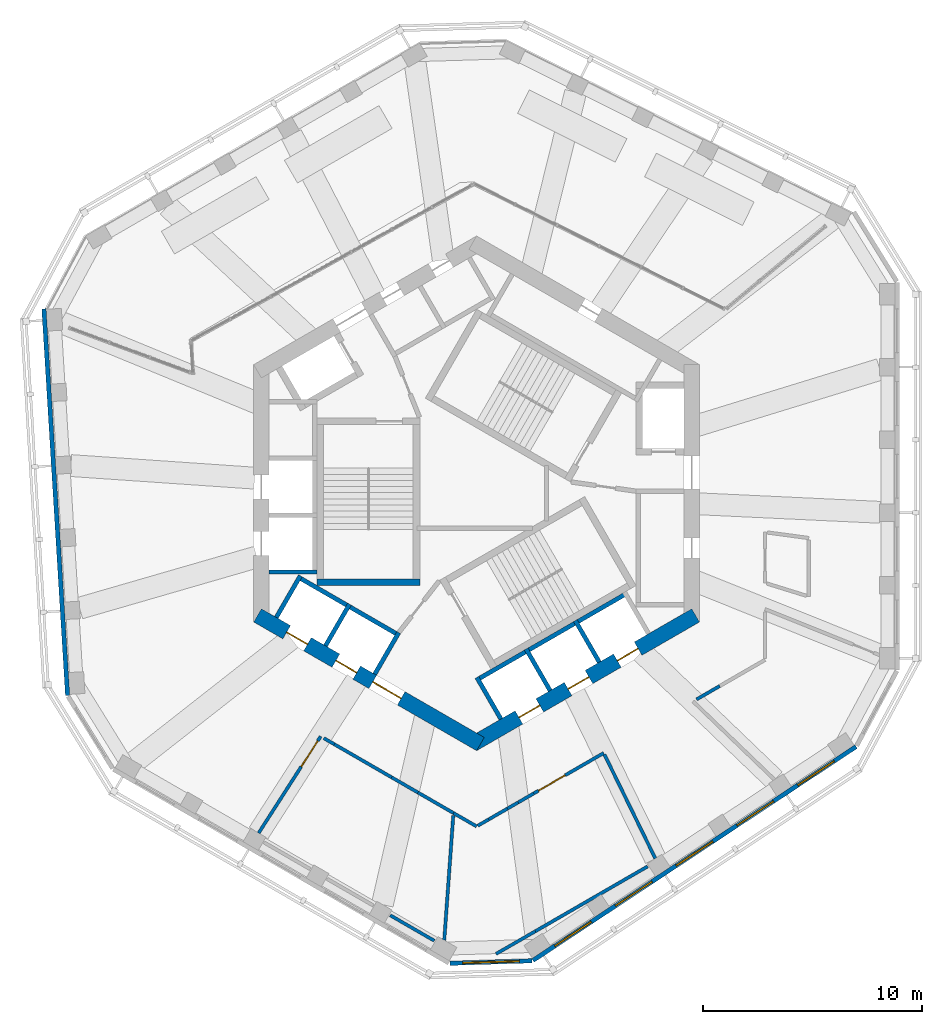
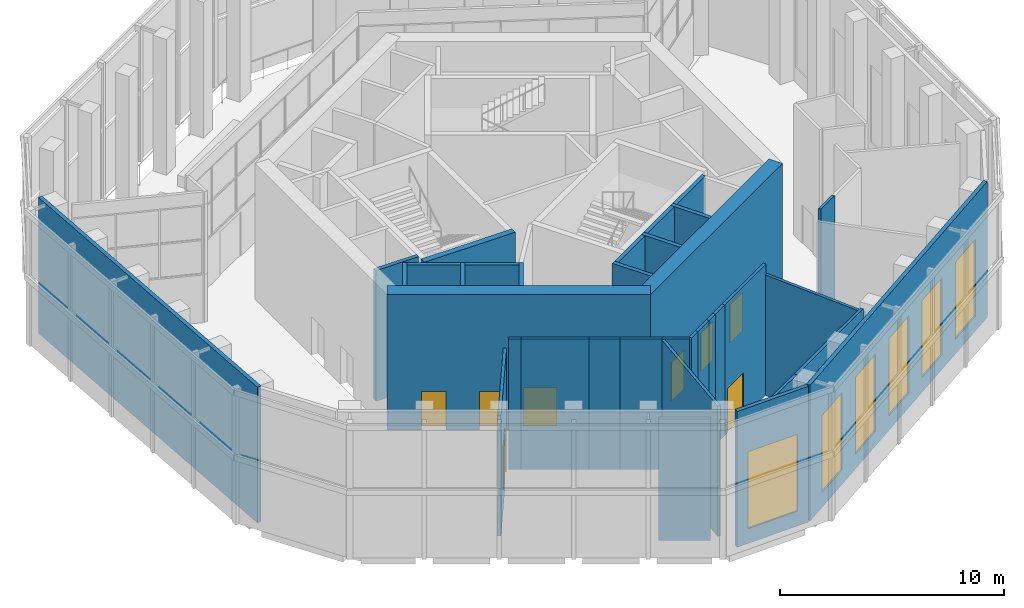
# One storey, part 8 of 16: 32 walls, 8 doors, 6 windows, 14 openings.
"""IFC4 building model written with IfcOpenShell, lengths in metres."""

from ifc_helpers import new_model, si_unit, direction, frame, frame_2d, origin, place, context, subcontext, project, spatial, rectangle, extrude, material, layer, layer_set, type_object, element, fill, save


model = new_model("IFC4")

# Units and contexts
model_context = context("Model", 3, precision=1e-05, world=origin(), true_north=direction((0.0, 1.0)))
body_context = subcontext(model_context, "Body", "Model", "MODEL_VIEW")
ifc_project = project(units=[si_unit("LENGTHUNIT", "METRE"), si_unit("AREAUNIT", "SQUARE_METRE"), si_unit("VOLUMEUNIT", "CUBIC_METRE"), si_unit("PLANEANGLEUNIT", "RADIAN"), si_unit("MASSUNIT", "GRAM", prefix="KILO")], contexts=[model_context])

# Site, building, storey
site_placement = place(None, origin())
site = spatial("IfcSite", under=ifc_project, at=site_placement, CompositionType="ELEMENT")
building_placement = place(site_placement, origin())
building = spatial("IfcBuilding", under=site, at=building_placement, Name="Vanh Sen Convention Tower", CompositionType="ELEMENT")
storey_placement = place(building_placement, frame((0.0, 0.0, 278.300048828125)))
storey = spatial("IfcBuildingStorey", under=building, at=storey_placement, Name="L69", CompositionType="ELEMENT", Elevation=278.300048828125)

# Wall, openings, doors
ifc_material_1 = material(Name="Concrete C60/75", Category="concrete")
ifc_layer_1 = layer(ifc_material_1, 0.699951171875)
ifc_layer_set_1 = layer_set([ifc_layer_1], Name="Concrete C60/75")
wall_type_1 = type_object("IfcWallType", Name="Core outer wall 700 C60/75", PredefinedType="SHEAR", material=ifc_layer_set_1)
wall_1_placement = place(storey_placement, frame((-10.02490234375, -5.5859375, 0.0), z_axis=(0.0, 0.0, 1.0), x_axis=(0.866026453023, -0.499998182661, 0.0)))
wall_1 = element("IfcWall", 1, at=wall_1_placement, inside=storey, type_object=wall_type_1, Name="Core wall face SW L69", PredefinedType="SHEAR", context=body_context, shape_type="SweptSolid", body=[
    extrude(rectangle(XDim=11.77783203125, YDim=0.699951171875, at=frame_2d((5.888916015625, 0.0))), origin(), (0.0, 0.0, 1.0), 7.39990234375),
])
opening_1_placement = place(wall_1_placement, frame((6.089111328125, 0.0, 0.0)))
opening_1 = element("IfcOpeningElement", 2, at=opening_1_placement, cuts=wall_1, Name="Opening D69003", PredefinedType="OPENING", context=body_context, shape_type="SweptSolid", body=[
    extrude(rectangle(XDim=1.5, YDim=2.10009765625, at=frame_2d((0.75, 1.050048828125))), frame((0.0, 0.35986328125, 0.0), z_axis=(0.0, -1.0, 0.0), x_axis=(1.0, 0.0, 0.0)), (0.0, 0.0, 1.0), 0.719970703125),
])
opening_2_placement = place(wall_1_placement, frame((1.5390625, 0.0, 0.0)))
opening_2 = element("IfcOpeningElement", 3, at=opening_2_placement, cuts=wall_1, Name="Opening LD-HR3", PredefinedType="OPENING", context=body_context, shape_type="SweptSolid", body=[
    extrude(rectangle(XDim=1.10009765625, YDim=2.10009765625, at=frame_2d((0.550048828125, 1.050048828125))), frame((0.0, 0.35986328125, 0.0), z_axis=(0.0, -1.0, 0.0), x_axis=(1.0, 0.0, 0.0)), (0.0, 0.0, 1.0), 0.719970703125),
])
opening_3_placement = place(wall_1_placement, frame((4.138916015625, 0.0, 0.0)))
opening_3 = element("IfcOpeningElement", 4, at=opening_3_placement, cuts=wall_1, Name="Opening LD-HR4", PredefinedType="OPENING", context=body_context, shape_type="SweptSolid", body=[
    extrude(rectangle(XDim=1.10009765625, YDim=2.10009765625, at=frame_2d((0.550048828125, 1.050048828125))), frame((0.0, 0.35986328125, 0.0), z_axis=(0.0, -1.0, 0.0), x_axis=(1.0, 0.0, 0.0)), (0.0, 0.0, 1.0), 0.719970703125),
])
ifc_material_2 = material(Name="Stainless steel", Category="steel")
door_type_1 = type_object("IfcDoorType", Name="Lift landing door 1100", OperationType="DOUBLE_DOOR_SLIDING", PredefinedType="DOOR", material=ifc_material_2)
door_1_placement = place(opening_2_placement, origin())
door_1 = element("IfcDoor", 5, at=door_1_placement, inside=storey, type_object=door_type_1, Name="Lift HR3 landing door LD-HR3", OperationType="DOUBLE_DOOR_SLIDING", OverallHeight=2.10009765625, OverallWidth=1.10009765625, PredefinedType="DOOR", context=body_context, shape_type="SweptSolid", body=[
    extrude(rectangle(XDim=1.10009765625, YDim=2.10009765625, at=frame_2d((0.550048828125, 1.050048828125))), frame((0.0, 0.02490234375, 0.0), z_axis=(0.0, -1.0, 0.0), x_axis=(1.0, 0.0, 0.0)), (0.0, 0.0, 1.0), 0.050048828125),
])
fill(opening_2, door_1)
door_2_placement = place(opening_3_placement, origin())
door_2 = element("IfcDoor", 6, at=door_2_placement, inside=storey, type_object=door_type_1, Name="Lift HR4 landing door LD-HR4", OperationType="DOUBLE_DOOR_SLIDING", OverallHeight=2.10009765625, OverallWidth=1.10009765625, PredefinedType="DOOR", context=body_context, shape_type="SweptSolid", body=[
    extrude(rectangle(XDim=1.10009765625, YDim=2.10009765625, at=frame_2d((0.550048828125, 1.050048828125))), frame((0.0, 0.02490234375, 0.0), z_axis=(0.0, -1.0, 0.0), x_axis=(1.0, 0.0, 0.0)), (0.0, 0.0, 1.0), 0.050048828125),
])
fill(opening_3, door_2)
ifc_material_3 = material(Name="Steel S355", Category="steel")
door_type_2 = type_object("IfcDoorType", Name="Stair lobby door 1500", OperationType="DOUBLE_DOOR_SINGLE_SWING", PredefinedType="DOOR", material=ifc_material_3)
door_3_placement = place(opening_1_placement, origin())
door_3 = element("IfcDoor", 7, at=door_3_placement, inside=storey, type_object=door_type_2, Name="Stair lobby door D69003", OperationType="DOUBLE_DOOR_SINGLE_SWING", OverallHeight=2.10009765625, OverallWidth=1.5, PredefinedType="DOOR", context=body_context, shape_type="SweptSolid", body=[
    extrude(rectangle(XDim=1.5, YDim=2.10009765625, at=frame_2d((0.75, 1.050048828125))), frame((0.0, 0.02490234375, 0.0), z_axis=(0.0, -1.0, 0.0), x_axis=(1.0, 0.0, 0.0)), (0.0, 0.0, 1.0), 0.050048828125),
])
fill(opening_1, door_3)

wall_2_placement = place(storey_placement, frame((-0.175048828125, -11.474853515625, 0.0), z_axis=(0.0, 0.0, 1.0), x_axis=(0.866026453023, 0.499998182661, 0.0)))
wall_2 = element("IfcWall", 8, at=wall_2_placement, inside=storey, type_object=wall_type_1, Name="Core wall face SE L69", PredefinedType="SHEAR", context=body_context, shape_type="SweptSolid", body=[
    extrude(rectangle(XDim=11.77783203125, YDim=0.699951171875, at=frame_2d((5.888916015625, 0.0))), origin(), (0.0, 0.0, 1.0), 7.39990234375),
])
opening_4_placement = place(wall_2_placement, frame((2.43896484375, 0.0, 0.0)))
opening_4 = element("IfcOpeningElement", 9, at=opening_4_placement, cuts=wall_2, Name="Opening LD-HR5", PredefinedType="OPENING", context=body_context, shape_type="SweptSolid", body=[
    extrude(rectangle(XDim=1.10009765625, YDim=2.10009765625, at=frame_2d((0.550048828125, 1.050048828125))), frame((0.0, 0.35986328125, 0.0), z_axis=(0.0, -1.0, 0.0), x_axis=(1.0, 0.0, 0.0)), (0.0, 0.0, 1.0), 0.719970703125),
])
opening_5_placement = place(wall_2_placement, frame((5.0390625, 0.0, 0.0)))
opening_5 = element("IfcOpeningElement", 10, at=opening_5_placement, cuts=wall_2, Name="Opening LD-HR6", PredefinedType="OPENING", context=body_context, shape_type="SweptSolid", body=[
    extrude(rectangle(XDim=1.10009765625, YDim=2.10009765625, at=frame_2d((0.550048828125, 1.050048828125))), frame((0.0, 0.35986328125, 0.0), z_axis=(0.0, -1.0, 0.0), x_axis=(1.0, 0.0, 0.0)), (0.0, 0.0, 1.0), 0.719970703125),
])
opening_6_placement = place(wall_2_placement, frame((7.638916015625, 0.0, 0.0)))
opening_6 = element("IfcOpeningElement", 11, at=opening_6_placement, cuts=wall_2, Name="Opening LD-SV1", PredefinedType="OPENING", context=body_context, shape_type="SweptSolid", body=[
    extrude(rectangle(XDim=1.10009765625, YDim=2.10009765625, at=frame_2d((0.550048828125, 1.050048828125))), frame((0.0, 0.35986328125, 0.0), z_axis=(0.0, -1.0, 0.0), x_axis=(1.0, 0.0, 0.0)), (0.0, 0.0, 1.0), 0.719970703125),
])
door_4_placement = place(opening_4_placement, origin())
door_4 = element("IfcDoor", 12, at=door_4_placement, inside=storey, type_object=door_type_1, Name="Lift HR5 landing door LD-HR5", OperationType="DOUBLE_DOOR_SLIDING", OverallHeight=2.10009765625, OverallWidth=1.10009765625, PredefinedType="DOOR", context=body_context, shape_type="SweptSolid", body=[
    extrude(rectangle(XDim=1.10009765625, YDim=2.10009765625, at=frame_2d((0.550048828125, 1.050048828125))), frame((0.0, 0.02490234375, 0.0), z_axis=(0.0, -1.0, 0.0), x_axis=(1.0, 0.0, 0.0)), (0.0, 0.0, 1.0), 0.050048828125),
])
fill(opening_4, door_4)
door_5_placement = place(opening_5_placement, origin())
door_5 = element("IfcDoor", 13, at=door_5_placement, inside=storey, type_object=door_type_1, Name="Lift HR6 landing door LD-HR6", OperationType="DOUBLE_DOOR_SLIDING", OverallHeight=2.10009765625, OverallWidth=1.10009765625, PredefinedType="DOOR", context=body_context, shape_type="SweptSolid", body=[
    extrude(rectangle(XDim=1.10009765625, YDim=2.10009765625, at=frame_2d((0.550048828125, 1.050048828125))), frame((0.0, 0.02490234375, 0.0), z_axis=(0.0, -1.0, 0.0), x_axis=(1.0, 0.0, 0.0)), (0.0, 0.0, 1.0), 0.050048828125),
])
fill(opening_5, door_5)
door_6_placement = place(opening_6_placement, origin())
door_6 = element("IfcDoor", 14, at=door_6_placement, inside=storey, type_object=door_type_1, Name="Lift SV1 landing door LD-SV1", OperationType="DOUBLE_DOOR_SLIDING", OverallHeight=2.10009765625, OverallWidth=1.10009765625, PredefinedType="DOOR", context=body_context, shape_type="SweptSolid", body=[
    extrude(rectangle(XDim=1.10009765625, YDim=2.10009765625, at=frame_2d((0.550048828125, 1.050048828125))), frame((0.0, 0.02490234375, 0.0), z_axis=(0.0, -1.0, 0.0), x_axis=(1.0, 0.0, 0.0)), (0.0, 0.0, 1.0), 0.050048828125),
])
fill(opening_6, door_6)

# Wall
ifc_material_4 = material(Name="Insulated lightweight infill wall")
ifc_layer_2 = layer(ifc_material_4, 0.199951171875)
ifc_layer_set_2 = layer_set([ifc_layer_2], Name="Insulated lightweight infill wall")
wall_type_2 = type_object("IfcWallType", Name="External wall 200", PredefinedType="STANDARD", material=ifc_layer_set_2)
wall_3_placement = place(storey_placement, frame((-19.802490234375, 8.446044921875, 0.0), z_axis=(0.0, 0.0, 1.0), x_axis=(0.061036964236, -0.99813550633, 0.0)))
element("IfcWall", 15, at=wall_3_placement, inside=storey, type_object=wall_type_2, Name="External wall W-1 L69", PredefinedType="STANDARD", context=body_context, shape_type="SweptSolid", body=[
    extrude(rectangle(XDim=17.723388671875, YDim=0.199951171875, at=frame_2d((8.86181640625, 0.0))), origin(), (0.0, 0.0, 1.0), 7.39990234375),
])

# Wall, opening, window
wall_4_placement = place(storey_placement, frame((-1.21728515625, -21.508056640625, 0.0), z_axis=(0.0, 0.0, 1.0), x_axis=(0.99953295295, 0.030559384285, 0.0)))
wall_4 = element("IfcWall", 16, at=wall_4_placement, inside=storey, type_object=wall_type_2, Name="External wall CH5 L69", PredefinedType="STANDARD", context=body_context, shape_type="SweptSolid", body=[
    extrude(rectangle(XDim=3.746826171875, YDim=0.199951171875, at=frame_2d((1.87353515625, 0.0))), origin(), (0.0, 0.0, 1.0), 7.39990234375),
])
opening_7_placement = place(wall_4_placement, frame((0.573486328125, 0.0, 0.800048828125)))
opening_7 = element("IfcOpeningElement", 17, at=opening_7_placement, cuts=wall_4, Name="Opening WS6-CH51", PredefinedType="OPENING", context=body_context, shape_type="SweptSolid", body=[
    extrude(rectangle(XDim=2.60009765625, YDim=4.199951171875, at=frame_2d((1.300048828125, 2.10009765625))), frame((0.0, 0.10986328125, 0.0), z_axis=(0.0, -1.0, 0.0), x_axis=(1.0, 0.0, 0.0)), (0.0, 0.0, 1.0), 0.219970703125),
])
ifc_material_5 = material(Name="Aluminium frame with clear low-emissivity glass", Category="aluminium")
window_type_1 = type_object("IfcWindowType", Name="Sky garden window 2600 x 4200", PartitioningType="SINGLE_PANEL", PredefinedType="WINDOW", material=ifc_material_5)
window_1_placement = place(opening_7_placement, origin())
window_1 = element("IfcWindow", 18, at=window_1_placement, inside=storey, type_object=window_type_1, Name="Window WS6-CH51", OverallHeight=4.199951171875, OverallWidth=2.60009765625, PartitioningType="SINGLE_PANEL", PredefinedType="WINDOW", context=body_context, shape_type="SweptSolid", body=[
    extrude(rectangle(XDim=2.60009765625, YDim=4.199951171875, at=frame_2d((1.300048828125, 2.10009765625))), frame((0.0, 0.030029296875, 0.0), z_axis=(0.0, -1.0, 0.0), x_axis=(1.0, 0.0, 0.0)), (0.0, 0.0, 1.0), 0.06005859375),
])
fill(opening_7, window_1)

# Wall, openings, windows
wall_5_placement = place(storey_placement, frame((2.580078125, -21.376953125, 0.0), z_axis=(0.0, 0.0, 1.0), x_axis=(0.833888592176, 0.551932800112, 0.0)))
wall_5 = element("IfcWall", 19, at=wall_5_placement, inside=storey, type_object=wall_type_2, Name="External wall SE L69", PredefinedType="STANDARD", context=body_context, shape_type="SweptSolid", body=[
    extrude(rectangle(XDim=17.7314453125, YDim=0.199951171875, at=frame_2d((8.86572265625, 0.0))), origin(), (0.0, 0.0, 1.0), 7.39990234375),
])
opening_8_placement = place(wall_5_placement, frame((1.20166015625, 0.0, 0.800048828125)))
opening_8 = element("IfcOpeningElement", 20, at=opening_8_placement, cuts=wall_5, Name="Opening WS5-SE1", PredefinedType="OPENING", context=body_context, shape_type="SweptSolid", body=[
    extrude(rectangle(XDim=2.0, YDim=4.199951171875, at=frame_2d((1.0, 2.10009765625))), frame((0.0, 0.10986328125, 0.0), z_axis=(0.0, -1.0, 0.0), x_axis=(1.0, 0.0, 0.0)), (0.0, 0.0, 1.0), 0.219970703125),
])
opening_9_placement = place(wall_5_placement, frame((4.533203125, 0.0, 0.800048828125)))
opening_9 = element("IfcOpeningElement", 21, at=opening_9_placement, cuts=wall_5, Name="Opening WS5-SE2", PredefinedType="OPENING", context=body_context, shape_type="SweptSolid", body=[
    extrude(rectangle(XDim=2.0, YDim=4.199951171875, at=frame_2d((1.0, 2.10009765625))), frame((0.0, 0.10986328125, 0.0), z_axis=(0.0, -1.0, 0.0), x_axis=(1.0, 0.0, 0.0)), (0.0, 0.0, 1.0), 0.219970703125),
])
opening_10_placement = place(wall_5_placement, frame((7.864990234375, 0.0, 0.800048828125)))
opening_10 = element("IfcOpeningElement", 22, at=opening_10_placement, cuts=wall_5, Name="Opening WS5-SE3", PredefinedType="OPENING", context=body_context, shape_type="SweptSolid", body=[
    extrude(rectangle(XDim=2.0, YDim=4.199951171875, at=frame_2d((1.0, 2.10009765625))), frame((0.0, 0.10986328125, 0.0), z_axis=(0.0, -1.0, 0.0), x_axis=(1.0, 0.0, 0.0)), (0.0, 0.0, 1.0), 0.219970703125),
])
opening_11_placement = place(wall_5_placement, frame((11.196533203125, 0.0, 0.800048828125)))
opening_11 = element("IfcOpeningElement", 23, at=opening_11_placement, cuts=wall_5, Name="Opening WS5-SE4", PredefinedType="OPENING", context=body_context, shape_type="SweptSolid", body=[
    extrude(rectangle(XDim=2.0, YDim=4.199951171875, at=frame_2d((1.0, 2.10009765625))), frame((0.0, 0.10986328125, 0.0), z_axis=(0.0, -1.0, 0.0), x_axis=(1.0, 0.0, 0.0)), (0.0, 0.0, 1.0), 0.219970703125),
])
opening_12_placement = place(wall_5_placement, frame((14.528076171875, 0.0, 0.800048828125)))
opening_12 = element("IfcOpeningElement", 24, at=opening_12_placement, cuts=wall_5, Name="Opening WS5-SE5", PredefinedType="OPENING", context=body_context, shape_type="SweptSolid", body=[
    extrude(rectangle(XDim=2.0, YDim=4.199951171875, at=frame_2d((1.0, 2.10009765625))), frame((0.0, 0.10986328125, 0.0), z_axis=(0.0, -1.0, 0.0), x_axis=(1.0, 0.0, 0.0)), (0.0, 0.0, 1.0), 0.219970703125),
])
window_type_2 = type_object("IfcWindowType", Name="Sky garden window 2000 x 4200", PartitioningType="SINGLE_PANEL", PredefinedType="WINDOW", material=ifc_material_5)
window_2_placement = place(opening_8_placement, origin())
window_2 = element("IfcWindow", 25, at=window_2_placement, inside=storey, type_object=window_type_2, Name="Window WS5-SE1", OverallHeight=4.199951171875, OverallWidth=2.0, PartitioningType="SINGLE_PANEL", PredefinedType="WINDOW", context=body_context, shape_type="SweptSolid", body=[
    extrude(rectangle(XDim=2.0, YDim=4.199951171875, at=frame_2d((1.0, 2.10009765625))), frame((0.0, 0.030029296875, 0.0), z_axis=(0.0, -1.0, 0.0), x_axis=(1.0, 0.0, 0.0)), (0.0, 0.0, 1.0), 0.06005859375),
])
fill(opening_8, window_2)
window_3_placement = place(opening_9_placement, origin())
window_3 = element("IfcWindow", 26, at=window_3_placement, inside=storey, type_object=window_type_2, Name="Window WS5-SE2", OverallHeight=4.199951171875, OverallWidth=2.0, PartitioningType="SINGLE_PANEL", PredefinedType="WINDOW", context=body_context, shape_type="SweptSolid", body=[
    extrude(rectangle(XDim=2.0, YDim=4.199951171875, at=frame_2d((1.0, 2.10009765625))), frame((0.0, 0.030029296875, 0.0), z_axis=(0.0, -1.0, 0.0), x_axis=(1.0, 0.0, 0.0)), (0.0, 0.0, 1.0), 0.06005859375),
])
fill(opening_9, window_3)
window_4_placement = place(opening_10_placement, origin())
window_4 = element("IfcWindow", 27, at=window_4_placement, inside=storey, type_object=window_type_2, Name="Window WS5-SE3", OverallHeight=4.199951171875, OverallWidth=2.0, PartitioningType="SINGLE_PANEL", PredefinedType="WINDOW", context=body_context, shape_type="SweptSolid", body=[
    extrude(rectangle(XDim=2.0, YDim=4.199951171875, at=frame_2d((1.0, 2.10009765625))), frame((0.0, 0.030029296875, 0.0), z_axis=(0.0, -1.0, 0.0), x_axis=(1.0, 0.0, 0.0)), (0.0, 0.0, 1.0), 0.06005859375),
])
fill(opening_10, window_4)
window_5_placement = place(opening_11_placement, origin())
window_5 = element("IfcWindow", 28, at=window_5_placement, inside=storey, type_object=window_type_2, Name="Window WS5-SE4", OverallHeight=4.199951171875, OverallWidth=2.0, PartitioningType="SINGLE_PANEL", PredefinedType="WINDOW", context=body_context, shape_type="SweptSolid", body=[
    extrude(rectangle(XDim=2.0, YDim=4.199951171875, at=frame_2d((1.0, 2.10009765625))), frame((0.0, 0.030029296875, 0.0), z_axis=(0.0, -1.0, 0.0), x_axis=(1.0, 0.0, 0.0)), (0.0, 0.0, 1.0), 0.06005859375),
])
fill(opening_11, window_5)
window_6_placement = place(opening_12_placement, origin())
window_6 = element("IfcWindow", 29, at=window_6_placement, inside=storey, type_object=window_type_2, Name="Window WS5-SE5", OverallHeight=4.199951171875, OverallWidth=2.0, PartitioningType="SINGLE_PANEL", PredefinedType="WINDOW", context=body_context, shape_type="SweptSolid", body=[
    extrude(rectangle(XDim=2.0, YDim=4.199951171875, at=frame_2d((1.0, 2.10009765625))), frame((0.0, 0.030029296875, 0.0), z_axis=(0.0, -1.0, 0.0), x_axis=(1.0, 0.0, 0.0)), (0.0, 0.0, 1.0), 0.06005859375),
])
fill(opening_12, window_6)

# Walls
ifc_material_6 = material(Name="Concrete C40/50", Category="concrete")
ifc_layer_3 = layer(ifc_material_6, 0.199951171875)
ifc_layer_set_3 = layer_set([ifc_layer_3], Name="Concrete C40/50")
wall_type_3 = type_object("IfcWallType", Name="Lift shaft wall 200", PredefinedType="PARTITIONING", material=ifc_layer_set_3)
wall_6_placement = place(storey_placement, frame((-7.300048828125, -3.60009765625, 0.0), z_axis=(0.0, 0.0, 1.0), x_axis=(-1.0, 0.0, 0.0)))
element("IfcWall", 30, at=wall_6_placement, inside=storey, type_object=wall_type_3, Name="Lift shaft wall L69", PredefinedType="PARTITIONING", context=body_context, shape_type="SweptSolid", body=[
    extrude(rectangle(XDim=2.199951171875, YDim=0.199951171875, at=frame_2d((1.10009765625, 0.0))), origin(), (0.0, 0.0, 1.0), 7.119873046875),
])
wall_7_placement = place(storey_placement, frame((-8.203369140625, -3.80859375, 0.0), z_axis=(0.0, 0.0, 1.0), x_axis=(0.866028230842, -0.499995103361, 0.0)))
element("IfcWall", 31, at=wall_7_placement, inside=storey, type_object=wall_type_3, Name="Lift shaft wall L69", PredefinedType="PARTITIONING", context=body_context, shape_type="SweptSolid", body=[
    extrude(rectangle(XDim=5.39990234375, YDim=0.199951171875, at=frame_2d((2.699951171875, 0.0))), origin(), (0.0, 0.0, 1.0), 7.119873046875),
])
for number, where, z_axis, x_axis, name in (
    (32, (-8.066650390625, -3.77197265625, 0.0), (0.0, 0.0, 1.0), (-0.50002983664, -0.866008176907, 0.0), "Lift shaft wall L69"),
    (33, (-5.815185546875, -5.072021484375, 0.0), (0.0, 0.0, 1.0), (-0.499946605688, -0.86605622881, 0.0), "Lift shaft wall L69"),
):
    element("IfcWall", number, at=place(storey_placement, frame(where, z_axis=z_axis, x_axis=x_axis)), inside=storey, type_object=wall_type_3, Name=name, PredefinedType="PARTITIONING", context=body_context, shape_type="SweptSolid", body=[
        extrude(rectangle(XDim=2.199951171875, YDim=0.199951171875, at=frame_2d((1.10009765625, 0.0))), origin(), (0.0, 0.0, 1.0), 7.119873046875),
    ])
wall_8_placement = place(storey_placement, frame((-3.5634765625, -6.3720703125, 0.0), z_axis=(0.0, 0.0, 1.0), x_axis=(-0.499994660107, -0.866028486751, 0.0)))
element("IfcWall", 34, at=wall_8_placement, inside=storey, type_object=wall_type_3, Name="Lift shaft wall L69", PredefinedType="PARTITIONING", context=body_context, shape_type="SweptSolid", body=[
    extrude(rectangle(XDim=2.19970703125, YDim=0.199951171875, at=frame_2d((1.099853515625, 0.0))), origin(), (0.0, 0.0, 1.0), 7.119873046875),
])
wall_9_placement = place(storey_placement, frame((-0.02392578125, -8.55859375, 0.0), z_axis=(0.0, 0.0, 1.0), x_axis=(0.866026010844, 0.49999894854, 0.0)))
element("IfcWall", 35, at=wall_9_placement, inside=storey, type_object=wall_type_3, Name="Lift shaft wall L69", PredefinedType="PARTITIONING", context=body_context, shape_type="SweptSolid", body=[
    extrude(rectangle(XDim=8.0, YDim=0.199951171875, at=frame_2d((4.0, 0.0))), origin(), (0.0, 0.0, 1.0), 7.119873046875),
])
for number, where, z_axis, x_axis, name in (
    (36, (0.0126953125, -8.422119140625, 0.0), (0.0, 0.0, 1.0), (0.500077893725, -0.86598042715, 0.0), "Lift shaft wall L69"),
    (37, (2.264404296875, -7.1220703125, 0.0), (0.0, 0.0, 1.0), (0.500077893725, -0.86598042715, 0.0), "Lift shaft wall L69"),
    (38, (4.51611328125, -5.822021484375, 0.0), (0.0, 0.0, 1.0), (0.499946605688, -0.86605622881, 0.0), "Lift shaft wall L69"),
):
    element("IfcWall", number, at=place(storey_placement, frame(where, z_axis=z_axis, x_axis=x_axis)), inside=storey, type_object=wall_type_3, Name=name, PredefinedType="PARTITIONING", context=body_context, shape_type="SweptSolid", body=[
        extrude(rectangle(XDim=2.199951171875, YDim=0.199951171875, at=frame_2d((1.10009765625, 0.0))), origin(), (0.0, 0.0, 1.0), 7.119873046875),
    ])
ifc_material_7 = material(Name="Gypsum board on steel studs", Category="steel")
ifc_layer_4 = layer(ifc_material_7, 0.14990234375)
ifc_layer_set_4 = layer_set([ifc_layer_4], Name="Gypsum board on steel studs")
wall_type_4 = type_object("IfcWallType", Name="Partition 150", PredefinedType="PARTITIONING", material=ifc_layer_set_4)
wall_10_placement = place(storey_placement, frame((11.12744140625, -8.8173828125, 0.0), z_axis=(0.0, 0.0, 1.0), x_axis=(-0.866020046725, -0.500009278584, 0.0)))
element("IfcWall", 39, at=wall_10_placement, inside=storey, type_object=wall_type_4, Name="Partition L69-020", PredefinedType="PARTITIONING", context=body_context, shape_type="SweptSolid", body=[
    extrude(rectangle(XDim=1.22802734375, YDim=0.14990234375, at=frame_2d((0.614013671875, 0.0))), origin(), (0.0, 0.0, 1.0), 7.119873046875),
])
ifc_layer_5 = layer(ifc_material_7, 0.14990234375)
ifc_layer_set_5 = layer_set([ifc_layer_5], Name="Gypsum board on steel studs")
wall_type_5 = type_object("IfcWallType", Name="Partition 150 EI 60", PredefinedType="PARTITIONING", material=ifc_layer_set_5)
wall_11_placement = place(storey_placement, frame((-1.935302734375, -20.47509765625, 0.0), z_axis=(0.0, 0.0, 1.0), x_axis=(-0.866082714023, 0.499900722615, 0.0)))
element("IfcWall", 40, at=wall_11_placement, inside=storey, type_object=wall_type_5, Name="Partition L69-001", PredefinedType="PARTITIONING", context=body_context, shape_type="SweptSolid", body=[
    extrude(rectangle(XDim=2.33154296875, YDim=0.14990234375, at=frame_2d((1.165771484375, 0.0))), origin(), (0.0, 0.0, 1.0), 6.619873046875),
])
wall_12_placement = place(storey_placement, frame((2.685791015625, -20.04248046875, 0.0), z_axis=(0.0, 0.0, 1.0), x_axis=(-0.866491264661, -0.499192235784, 0.0)))
element("IfcWall", 41, at=wall_12_placement, inside=storey, type_object=wall_type_5, Name="Partition L69-002", PredefinedType="PARTITIONING", context=body_context, shape_type="SweptSolid", body=[
    extrude(rectangle(XDim=2.0732421875, YDim=0.14990234375, at=frame_2d((1.03662109375, 0.0))), origin(), (0.0, 0.0, 1.0), 7.119873046875),
])
wall_13_placement = place(storey_placement, frame((2.68896484375, -20.04052734375, 0.0), z_axis=(0.0, 0.0, 1.0), x_axis=(0.866025885238, 0.499999166098, 0.0)))
element("IfcWall", 42, at=wall_13_placement, inside=storey, type_object=wall_type_5, Name="Partition L69-003", PredefinedType="PARTITIONING", context=body_context, shape_type="SweptSolid", body=[
    extrude(rectangle(XDim=5.931640625, YDim=0.14990234375, at=frame_2d((2.9658203125, 0.0))), origin(), (0.0, 0.0, 1.0), 7.119873046875),
])

# Wall, opening, door
wall_14_placement = place(storey_placement, frame((-9.975830078125, -15.544921875, 0.0), z_axis=(0.0, 0.0, 1.0), x_axis=(0.540123567873, 0.841585724349, 0.0)))
wall_14 = element("IfcWall", 43, at=wall_14_placement, inside=storey, type_object=wall_type_5, Name="Partition L69-006", PredefinedType="PARTITIONING", context=body_context, shape_type="SweptSolid", body=[
    extrude(rectangle(XDim=5.255859375, YDim=0.14990234375, at=frame_2d((2.6279296875, 0.0))), origin(), (0.0, 0.0, 1.0), 6.570068359375),
])
opening_13_placement = place(wall_14_placement, frame((3.60595703125, 0.0, 0.0)))
opening_13 = element("IfcOpeningElement", 44, at=opening_13_placement, cuts=wall_14, Name="Opening D69101", PredefinedType="OPENING", context=body_context, shape_type="SweptSolid", body=[
    extrude(rectangle(XDim=1.39990234375, YDim=2.39990234375, at=frame_2d((0.699951171875, 1.199951171875))), frame((0.0, 0.0849609375, 0.0), z_axis=(0.0, -1.0, 0.0), x_axis=(1.0, 0.0, 0.0)), (0.0, 0.0, 1.0), 0.169921875),
])
ifc_material_8 = material(Name="Timber door in steel frame", Category="steel")
door_type_3 = type_object("IfcDoorType", Name="Double door 1400 EI 30", OperationType="SINGLE_SWING_LEFT", PredefinedType="DOOR", material=ifc_material_8)
door_7_placement = place(opening_13_placement, origin())
door_7 = element("IfcDoor", 45, at=door_7_placement, inside=storey, type_object=door_type_3, Name="Double door D69101", OperationType="SINGLE_SWING_LEFT", OverallHeight=2.39990234375, OverallWidth=1.39990234375, PredefinedType="DOOR", context=body_context, shape_type="SweptSolid", body=[
    extrude(rectangle(XDim=1.39990234375, YDim=2.39990234375, at=frame_2d((0.699951171875, 1.199951171875))), frame((0.0, 0.02490234375, 0.0), z_axis=(0.0, -1.0, 0.0), x_axis=(1.0, 0.0, 0.0)), (0.0, 0.0, 1.0), 0.050048828125),
])
fill(opening_13, door_7)

# Walls
wall_15_placement = place(storey_placement, frame((0.052001953125, -15.2119140625, 0.0), z_axis=(0.0, 0.0, 1.0), x_axis=(0.866171626203, 0.499746649774, 0.0)))
element("IfcWall", 46, at=wall_15_placement, inside=storey, type_object=wall_type_5, Name="Partition L69-007", PredefinedType="PARTITIONING", context=body_context, shape_type="SweptSolid", body=[
    extrude(rectangle(XDim=0.582275390625, YDim=0.14990234375, at=frame_2d((0.291015625, 0.0))), origin(), (0.0, 0.0, 1.0), 7.119873046875),
])
wall_16_placement = place(storey_placement, frame((0.556396484375, -14.9208984375, 0.0), z_axis=(0.0, 0.0, 1.0), x_axis=(0.865917507238, 0.500186835751, 0.0)))
element("IfcWall", 47, at=wall_16_placement, inside=storey, type_object=wall_type_5, Name="Partition L69-008", PredefinedType="PARTITIONING", context=body_context, shape_type="SweptSolid", body=[
    extrude(rectangle(XDim=0.98583984375, YDim=0.14990234375, at=frame_2d((0.492919921875, 0.0))), origin(), (0.0, 0.0, 1.0), 7.119873046875),
])
wall_17_placement = place(storey_placement, frame((-1.068115234375, -14.750244140625, 0.0), z_axis=(0.0, 0.0, 1.0), x_axis=(-0.072252084435, -0.997386402702, 0.0)))
element("IfcWall", 48, at=wall_17_placement, inside=storey, type_object=wall_type_5, Name="Partition L69-009", PredefinedType="PARTITIONING", context=body_context, shape_type="SweptSolid", body=[
    extrude(rectangle(XDim=5.7138671875, YDim=0.14990234375, at=frame_2d((2.85693359375, 0.0))), origin(), (0.0, 0.0, 1.0), 7.119873046875),
])
wall_18_placement = place(storey_placement, frame((-1.0595703125, -14.630615234375, 0.0), z_axis=(0.0, 0.0, 1.0), x_axis=(0.866172295251, -0.499745490164, 0.0)))
element("IfcWall", 49, at=wall_18_placement, inside=storey, type_object=wall_type_5, Name="Partition L69-010", PredefinedType="PARTITIONING", context=body_context, shape_type="SweptSolid", body=[
    extrude(rectangle(XDim=1.223388671875, YDim=0.14990234375, at=frame_2d((0.61181640625, 0.0))), origin(), (0.0, 0.0, 1.0), 7.119873046875),
])
wall_19_placement = place(storey_placement, frame((-1.0595703125, -14.630615234375, 0.0), z_axis=(0.0, 0.0, 1.0), x_axis=(-0.8659514991, 0.500127984827, 0.0)))
element("IfcWall", 50, at=wall_19_placement, inside=storey, type_object=wall_type_5, Name="Partition L69-011", PredefinedType="PARTITIONING", context=body_context, shape_type="SweptSolid", body=[
    extrude(rectangle(XDim=1.8759765625, YDim=0.14990234375, at=frame_2d((0.93798828125, 0.0))), origin(), (0.0, 0.0, 1.0), 7.119873046875),
])
wall_20_placement = place(storey_placement, frame((1.41015625, -14.427734375, 0.0), z_axis=(0.0, 0.0, 1.0), x_axis=(0.865940158947, 0.500147619332, 0.0)))
element("IfcWall", 51, at=wall_20_placement, inside=storey, type_object=wall_type_5, Name="Partition L69-012", PredefinedType="PARTITIONING", context=body_context, shape_type="SweptSolid", body=[
    extrude(rectangle(XDim=0.563232421875, YDim=0.14990234375, at=frame_2d((0.28173828125, 0.0))), origin(), (0.0, 0.0, 1.0), 7.119873046875),
])
wall_21_placement = place(storey_placement, frame((1.904052734375, -14.14501953125, 0.0), z_axis=(0.0, 0.0, 1.0), x_axis=(0.864830459613, 0.502064015964, 0.0)))
element("IfcWall", 52, at=wall_21_placement, inside=storey, type_object=wall_type_5, Name="Partition L69-013", PredefinedType="PARTITIONING", context=body_context, shape_type="SweptSolid", body=[
    extrude(rectangle(XDim=0.82373046875, YDim=0.14990234375, at=frame_2d((0.411865234375, 0.0))), origin(), (0.0, 0.0, 1.0), 7.119873046875),
])
wall_22_placement = place(storey_placement, frame((-3.887939453125, -12.99755859375, 0.0), z_axis=(0.0, 0.0, 1.0), x_axis=(0.866094923709, -0.499879568622, 0.0)))
element("IfcWall", 53, at=wall_22_placement, inside=storey, type_object=wall_type_5, Name="Partition L69-015", PredefinedType="PARTITIONING", context=body_context, shape_type="SweptSolid", body=[
    extrude(rectangle(XDim=1.389892578125, YDim=0.14990234375, at=frame_2d((0.69482421875, 0.0))), origin(), (0.0, 0.0, 1.0), 7.119873046875),
])
wall_23_placement = place(storey_placement, frame((-3.887939453125, -12.99755859375, 0.0), z_axis=(0.0, 0.0, 1.0), x_axis=(-0.865984422536, 0.500070974888, 0.0)))
element("IfcWall", 54, at=wall_23_placement, inside=storey, type_object=wall_type_5, Name="Partition L69-016", PredefinedType="PARTITIONING", context=body_context, shape_type="SweptSolid", body=[
    extrude(rectangle(XDim=3.03173828125, YDim=0.14990234375, at=frame_2d((1.515869140625, 0.0))), origin(), (0.0, 0.0, 1.0), 7.119873046875),
])
wall_24_placement = place(storey_placement, frame((5.85205078125, -11.95556640625, 0.0), z_axis=(0.0, 0.0, 1.0), x_axis=(0.439616976251, -0.898185345122, 0.0)))
element("IfcWall", 55, at=wall_24_placement, inside=storey, type_object=wall_type_5, Name="Partition L69-017", PredefinedType="PARTITIONING", context=body_context, shape_type="SweptSolid", body=[
    extrude(rectangle(XDim=5.294677734375, YDim=0.14990234375, at=frame_2d((2.6474609375, 0.0))), origin(), (0.0, 0.0, 1.0), 6.570068359375),
])

# Wall, opening, door
wall_25_placement = place(storey_placement, frame((5.81689453125, -11.883544921875, 0.0), z_axis=(0.0, 0.0, 1.0), x_axis=(-0.866001804008, -0.500040873783, 0.0)))
wall_25 = element("IfcWall", 56, at=wall_25_placement, inside=storey, type_object=wall_type_5, Name="Partition L69-018", PredefinedType="PARTITIONING", context=body_context, shape_type="SweptSolid", body=[
    extrude(rectangle(XDim=3.694580078125, YDim=0.14990234375, at=frame_2d((1.84716796875, 0.0))), origin(), (0.0, 0.0, 1.0), 7.119873046875),
])
opening_14_placement = place(wall_25_placement, frame((2.04443359375, 0.0, 0.0)))
opening_14 = element("IfcOpeningElement", 57, at=opening_14_placement, cuts=wall_25, Name="Opening D69102", PredefinedType="OPENING", context=body_context, shape_type="SweptSolid", body=[
    extrude(rectangle(XDim=1.39990234375, YDim=2.39990234375, at=frame_2d((0.699951171875, 1.199951171875))), frame((0.0, 0.0849609375, 0.0), z_axis=(0.0, -1.0, 0.0), x_axis=(1.0, 0.0, 0.0)), (0.0, 0.0, 1.0), 0.169921875),
])
door_8_placement = place(opening_14_placement, origin())
door_8 = element("IfcDoor", 58, at=door_8_placement, inside=storey, type_object=door_type_3, Name="Double door D69102", OperationType="SINGLE_SWING_LEFT", OverallHeight=2.39990234375, OverallWidth=1.39990234375, PredefinedType="DOOR", context=body_context, shape_type="SweptSolid", body=[
    extrude(rectangle(XDim=1.39990234375, YDim=2.39990234375, at=frame_2d((0.699951171875, 1.199951171875))), frame((0.0, 0.02490234375, 0.0), z_axis=(0.0, -1.0, 0.0), x_axis=(1.0, 0.0, 0.0)), (0.0, 0.0, 1.0), 0.050048828125),
])
fill(opening_14, door_8)

# Walls
wall_26_placement = place(storey_placement, frame((-6.996337890625, -11.20263671875, 0.0), z_axis=(0.0, 0.0, 1.0), x_axis=(0.866025182435, -0.500000383388, 0.0)))
element("IfcWall", 59, at=wall_26_placement, inside=storey, type_object=wall_type_5, Name="Partition L69-019", PredefinedType="PARTITIONING", context=body_context, shape_type="SweptSolid", body=[
    extrude(rectangle(XDim=0.5576171875, YDim=0.14990234375, at=frame_2d((0.27880859375, 0.0))), origin(), (0.0, 0.0, 1.0), 7.119873046875),
])
ifc_layer_6 = layer(ifc_material_1, 0.300048828125)
ifc_layer_set_6 = layer_set([ifc_layer_6], Name="Concrete C60/75")
wall_type_6 = type_object("IfcWallType", Name="Stair wall 300", PredefinedType="SHEAR", material=ifc_layer_set_6)
wall_27_placement = place(storey_placement, frame((-2.60009765625, -4.06005859375, 0.0), z_axis=(0.0, 0.0, 1.0), x_axis=(-1.0, 0.0, 0.0)))
element("IfcWall", 60, at=wall_27_placement, inside=storey, type_object=wall_type_6, Name="Stair wall L69", PredefinedType="SHEAR", context=body_context, shape_type="SweptSolid", body=[
    extrude(rectangle(XDim=4.699951171875, YDim=0.300048828125, at=frame_2d((2.35009765625, 0.0))), origin(), (0.0, 0.0, 1.0), 7.119873046875),
])

save(model, "model.ifc")
